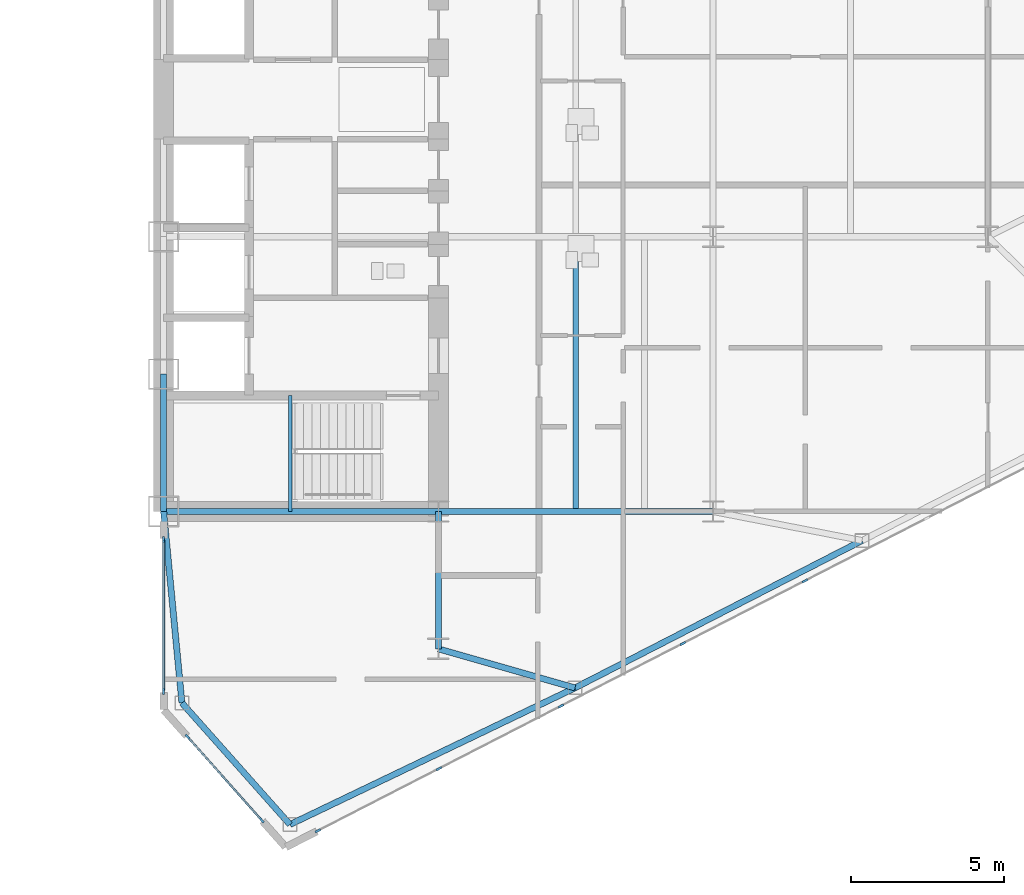
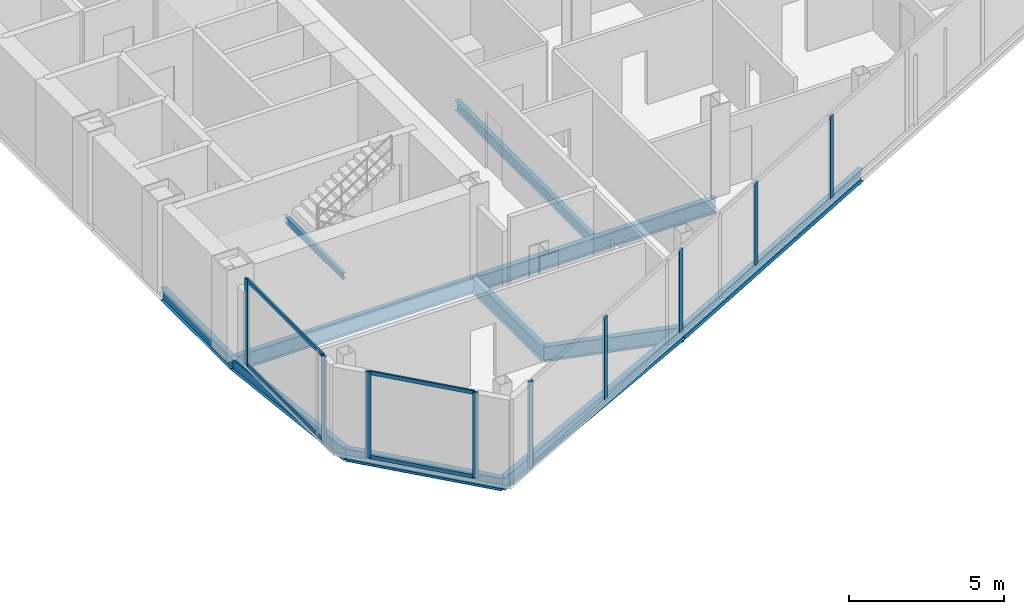
# One storey, part 8 of 24: 13 members, 11 beams, 3 elements without a shape of their own.
"""IFC4 building model written with IfcOpenShell, lengths in metres."""

from ifc_helpers import new_model, si_unit, direction, frame, origin, origin_2d, place, context, subcontext, project, spatial, rectangle, i_section, extrude, source, transform, mapped, material, layer, layer_set, material_profile, profile_set, type_object, type_shapes, element, aggregate, save


model = new_model("IFC4")

# Units and contexts
model_context = context("Model", 3, precision=1e-05, world=origin(), true_north=direction((0.0, 1.0)))
body_context = subcontext(model_context, "Body", "Model", "MODEL_VIEW")
ifc_project = project(units=[si_unit("LENGTHUNIT", "METRE"), si_unit("AREAUNIT", "SQUARE_METRE"), si_unit("VOLUMEUNIT", "CUBIC_METRE"), si_unit("PLANEANGLEUNIT", "RADIAN"), si_unit("MASSUNIT", "GRAM", prefix="KILO")], contexts=[model_context])

# Site, building, storey
site_placement = place(None, origin())
site = spatial("IfcSite", under=ifc_project, at=site_placement, CompositionType="ELEMENT")
building_placement = place(site_placement, origin())
building = spatial("IfcBuilding", under=site, at=building_placement, Name="Seokmaru Belvedere", CompositionType="ELEMENT")
storey_placement = place(building_placement, frame((0.0, 0.0, 121.199951171875)))
storey = spatial("IfcBuildingStorey", under=building, at=storey_placement, Name="L32", CompositionType="ELEMENT", Elevation=121.199951171875)

# Beams
ifc_material_1 = material(Name="Steel SM355 (355 MPa)", Category="steel")
ifc_material_profile_1 = material_profile(ifc_material_1, i_section(OverallWidth=0.199951171875, OverallDepth=0.5, WebThickness=0.010009765625, FlangeThickness=0.01611328125, at=origin_2d()), Name="H-500x200x10x16")
ifc_profile_set_1 = profile_set([ifc_material_profile_1], Name="Steel SM355 (355 MPa)")
beam_type_1 = type_object("IfcBeamType", Name="Perimeter Spandrel Beam H-500", PredefinedType="SPANDREL", material=ifc_profile_set_1)
shared_shape_1 = source(origin(), body_context, "Body", "SweptSolid", [
    extrude(i_section(OverallWidth=0.199951171875, OverallDepth=0.5, WebThickness=0.010009765625, FlangeThickness=0.01611328125, at=origin_2d()), origin(), (0.0, 0.0, 1.0), 4.5),
])
beam_1_placement = place(storey_placement, frame((27.5, -13.5, -0.469970703125), z_axis=(0.0, 1.0, 0.0), x_axis=(-1.0, 0.0, 0.0)))
element("IfcBeam", 1, at=beam_1_placement, inside=storey, type_object=beam_type_1, Name="L32 E Portal Spine Spandrel 1", PredefinedType="SPANDREL", context=body_context, shape_type="MappedRepresentation", body=[
    mapped(shared_shape_1, transform((0.0, 0.0, 0.0), scale=1.0)),
])
ifc_material_profile_2 = material_profile(ifc_material_1, i_section(OverallWidth=0.199951171875, OverallDepth=0.60009765625, WebThickness=0.010986328125, FlangeThickness=0.01708984375, at=origin_2d()), Name="H-600x200x11x17")
ifc_profile_set_2 = profile_set([ifc_material_profile_2], Name="Steel SM355 (355 MPa)")
beam_type_2 = type_object("IfcBeamType", Name="Primary Floor Girder H-600", PredefinedType="BEAM", material=ifc_profile_set_2)
shared_shape_2 = source(origin(), body_context, "Body", "SweptSolid", [
    extrude(i_section(OverallWidth=0.199951171875, OverallDepth=0.60009765625, WebThickness=0.010986328125, FlangeThickness=0.01708984375, at=origin_2d()), origin(), (0.0, 0.0, 1.0), 9.0),
])
for number, where, z_axis, x_axis, name in (
    (2, (27.5, -13.5, -0.52001953125), (1.0, 0.0, 0.0), (0.0, 1.0, 0.0), "L32 E Core Tie Girder 1"),
    (3, (36.5, -13.5, -0.52001953125), (1.0, 0.0, 0.0), (0.0, 1.0, 0.0), "L32 E Wing Primary Girder 1"),
):
    element("IfcBeam", number, at=place(storey_placement, frame(where, z_axis=z_axis, x_axis=x_axis)), inside=storey, type_object=beam_type_2, Name=name, PredefinedType="BEAM", context=body_context, shape_type="MappedRepresentation", body=[
        mapped(shared_shape_2, transform((0.0, 0.0, 0.0), scale=1.0)),
    ])
ifc_material_profile_3 = material_profile(ifc_material_1, i_section(OverallWidth=0.18505859375, OverallDepth=0.389892578125, WebThickness=0.008056640625, FlangeThickness=0.011962890625, at=origin_2d()), Name="H-390x185x8x12")
ifc_profile_set_3 = profile_set([ifc_material_profile_3], Name="Steel SM355 (355 MPa)")
beam_type_3 = type_object("IfcBeamType", Name="Secondary Floor Joist H-350", PredefinedType="JOIST", material=ifc_profile_set_3)
shared_shape_3 = source(origin(), body_context, "Body", "SweptSolid", [
    extrude(i_section(OverallWidth=0.18505859375, OverallDepth=0.389892578125, WebThickness=0.008056640625, FlangeThickness=0.011962890625, at=origin_2d()), origin(), (0.0, 0.0, 1.0), 8.7900390625),
])
type_shapes(beam_type_3, [shared_shape_3])
beam_2_placement = place(storey_placement, frame((41.0, -13.39501953125, -0.4150390625), z_axis=(0.0, 1.0, 0.0), x_axis=(-1.0, 0.0, 0.0)))
element("IfcBeam", 4, at=beam_2_placement, inside=storey, type_object=beam_type_3, Name="L32 E Secondary Floor Joist 1", PredefinedType="JOIST", context=body_context, shape_type="MappedRepresentation", body=[
    mapped(shared_shape_3, transform((0.0, 0.0, 0.0), scale=1.0)),
])
shared_shape_4 = source(origin(), body_context, "Body", "SweptSolid", [
    extrude(i_section(OverallWidth=0.199951171875, OverallDepth=0.60009765625, WebThickness=0.010986328125, FlangeThickness=0.01708984375, at=origin_2d()), origin(), (0.0, 0.0, 1.0), 4.5),
])
beam_3_placement = place(storey_placement, frame((36.5, -18.0, -0.52001953125), z_axis=(0.0, 1.0, 0.0), x_axis=(-1.0, 0.0, 0.0)))
element("IfcBeam", 5, at=beam_3_placement, inside=storey, type_object=beam_type_2, Name="L32 E Core Shoulder Girder S", PredefinedType="BEAM", context=body_context, shape_type="MappedRepresentation", body=[
    mapped(shared_shape_4, transform((0.0, 0.0, 0.0), scale=1.0)),
])
shared_shape_5 = source(origin(), body_context, "Body", "SweptSolid", [
    extrude(i_section(OverallWidth=0.199951171875, OverallDepth=0.5, WebThickness=0.010009765625, FlangeThickness=0.01611328125, at=origin_2d()), origin(), (0.0, 0.0, 1.0), 10.353759765625),
])
beam_4_placement = place(storey_placement, frame((31.6396484375, -23.75390625, -0.469970703125), z_axis=(0.901713202822, 0.432334708134, 0.0), x_axis=(-0.432334708134, 0.901713202822, 0.0)))
element("IfcBeam", 6, at=beam_4_placement, inside=storey, type_object=beam_type_1, Name="L32 E Faceted Flank Spandrel S-1", PredefinedType="SPANDREL", context=body_context, shape_type="MappedRepresentation", body=[
    mapped(shared_shape_5, transform((0.0, 0.0, 0.0), scale=1.0)),
])
shared_shape_6 = source(origin(), body_context, "Body", "SweptSolid", [
    extrude(i_section(OverallWidth=0.199951171875, OverallDepth=0.5, WebThickness=0.010009765625, FlangeThickness=0.01611328125, at=origin_2d()), origin(), (0.0, 0.0, 1.0), 10.56689453125),
])
beam_5_placement = place(storey_placement, frame((40.975830078125, -19.277587890625, -0.469970703125), z_axis=(0.889701972758, 0.45654178305, 0.0), x_axis=(-0.45654178305, 0.889701972758, 0.0)))
element("IfcBeam", 7, at=beam_5_placement, inside=storey, type_object=beam_type_1, Name="L32 E Faceted Flank Spandrel S-2", PredefinedType="SPANDREL", context=body_context, shape_type="MappedRepresentation", body=[
    mapped(shared_shape_6, transform((0.0, 0.0, 0.0), scale=1.0)),
])
shared_shape_7 = source(origin(), body_context, "Body", "SweptSolid", [
    extrude(i_section(OverallWidth=0.199951171875, OverallDepth=0.5, WebThickness=0.010009765625, FlangeThickness=0.01611328125, at=origin_2d()), origin(), (0.0, 0.0, 1.0), 5.32763671875),
])
beam_6_placement = place(storey_placement, frame((31.6396484375, -23.75390625, -0.469970703125), z_axis=(-0.66436952742, 0.74740426212, 0.0), x_axis=(-0.74740426212, -0.66436952742, 0.0)))
element("IfcBeam", 8, at=beam_6_placement, inside=storey, type_object=beam_type_1, Name="L32 E Shoulder Chamfer Spandrel S", PredefinedType="SPANDREL", context=body_context, shape_type="MappedRepresentation", body=[
    mapped(shared_shape_7, transform((0.0, 0.0, 0.0), scale=1.0)),
])
shared_shape_8 = source(origin(), body_context, "Body", "SweptSolid", [
    extrude(i_section(OverallWidth=0.199951171875, OverallDepth=0.5, WebThickness=0.010009765625, FlangeThickness=0.01611328125, at=origin_2d()), origin(), (0.0, 0.0, 1.0), 6.300537109375),
])
type_shapes(beam_type_1, [shared_shape_1, shared_shape_5, shared_shape_6, shared_shape_7, shared_shape_8])
beam_7_placement = place(storey_placement, frame((28.10009765625, -19.77197265625, -0.469970703125), z_axis=(-0.095244287992, 0.995453929424, 0.0), x_axis=(-0.995453929424, -0.095244287992, 0.0)))
element("IfcBeam", 9, at=beam_7_placement, inside=storey, type_object=beam_type_1, Name="L32 E Shoulder Spine Spandrel S", PredefinedType="SPANDREL", context=body_context, shape_type="MappedRepresentation", body=[
    mapped(shared_shape_8, transform((0.0, 0.0, 0.0), scale=1.0)),
])
shared_shape_9 = source(origin(), body_context, "Body", "SweptSolid", [
    extrude(i_section(OverallWidth=0.199951171875, OverallDepth=0.60009765625, WebThickness=0.010986328125, FlangeThickness=0.01708984375, at=origin_2d()), origin(), (0.0, 0.0, 1.0), 4.654541015625),
])
type_shapes(beam_type_2, [shared_shape_2, shared_shape_4, shared_shape_9])
beam_8_placement = place(storey_placement, frame((40.975830078125, -19.277587890625, -0.52001953125), z_axis=(-0.961593192625, 0.274478654721, 0.0), x_axis=(-0.274478654721, -0.961593192625, 0.0)))
element("IfcBeam", 10, at=beam_8_placement, inside=storey, type_object=beam_type_2, Name="L32 E Flank Radial Floor Girder S-1", PredefinedType="BEAM", context=body_context, shape_type="MappedRepresentation", body=[
    mapped(shared_shape_9, transform((0.0, 0.0, 0.0), scale=1.0)),
])

# Curtain wall, member
ifc_material_2 = material(Name="Bronze Triple Insulating Glass", Category="glass")
ifc_layer = layer(ifc_material_2, 0.195068359375)
ifc_layer_set = layer_set([ifc_layer], Name="Bronze Triple Insulating Glass")
curtain_wall_type = type_object("IfcCurtainWallType", Name="Sky-Lobby and Mid-Rise Curtain Wall System CW-4", PredefinedType="NOTDEFINED", material=ifc_layer_set)
curtain_wall_1_placement = place(storey_placement, origin())
curtain_wall_1 = element("IfcCurtainWall", 11, at=curtain_wall_1_placement, inside=storey, type_object=curtain_wall_type, Name="L32 Curtain Wall EF1", PredefinedType="NOTDEFINED")
ifc_material_3 = material(Name="Anodised Bronze Aluminium", Category="aluminium")
ifc_material_profile_4 = material_profile(ifc_material_3, rectangle(XDim=0.070068359375, YDim=0.195068359375, at=origin_2d()), Name="CW-M-70x195")
ifc_profile_set_4 = profile_set([ifc_material_profile_4], Name="Anodised Bronze Aluminium")
member_type_1 = type_object("IfcMemberType", Name="Bronze Unitised Mullion 70x195", PredefinedType="MULLION", material=ifc_profile_set_4)
shared_shape_10 = source(origin(), body_context, "Body", "SweptSolid", [
    extrude(rectangle(XDim=0.070068359375, YDim=0.195068359375, at=origin_2d()), origin(), (0.0, 0.0, 1.0), 3.380126953125),
])
member_1_placement = place(storey_placement, frame((32.55419921875, -23.958984375, 0.0), z_axis=(0.0, 0.0, 1.0), x_axis=(-0.456554528263, 0.889695432562, 0.0)))
member_1 = element("IfcMember", 12, at=member_1_placement, type_object=member_type_1, Name="CW:L32:EF1 Mullion 1", PredefinedType="MULLION", context=body_context, shape_type="MappedRepresentation", body=[
    mapped(shared_shape_10, transform((0.0, 0.0, 0.0), scale=1.0)),
])

# Curtain wall, members
curtain_wall_2_placement = place(storey_placement, origin())
curtain_wall_2 = element("IfcCurtainWall", 13, at=curtain_wall_2_placement, inside=storey, type_object=curtain_wall_type, Name="L32 Curtain Wall ESP_1", PredefinedType="NOTDEFINED")
member_2_placement = place(storey_placement, frame((27.5, -14.4150390625, 0.0), z_axis=(0.0, 0.0, 1.0), x_axis=(1.0, 0.0, 0.0)))
member_2 = element("IfcMember", 14, at=member_2_placement, type_object=member_type_1, Name="CW:L32:ESP_1 Mullion 1", PredefinedType="MULLION", context=body_context, shape_type="MappedRepresentation", body=[
    mapped(shared_shape_10, transform((0.0, 0.0, 0.0), scale=1.0)),
])
member_3_placement = place(storey_placement, frame((27.5, -19.39501953125, 0.0), z_axis=(0.0, 0.0, 1.0), x_axis=(1.0, 0.0, 0.0)))
member_3 = element("IfcMember", 15, at=member_3_placement, type_object=member_type_1, Name="CW:L32:ESP_1 Mullion 2", PredefinedType="MULLION", context=body_context, shape_type="MappedRepresentation", body=[
    mapped(shared_shape_10, transform((0.0, 0.0, 0.0), scale=1.0)),
])

curtain_wall_3_placement = place(storey_placement, origin())
curtain_wall_3 = element("IfcCurtainWall", 16, at=curtain_wall_3_placement, inside=storey, type_object=curtain_wall_type, Name="L32 Curtain Wall EF6", PredefinedType="NOTDEFINED")
member_4_placement = place(storey_placement, frame((28.287353515625, -20.8857421875, 0.0), z_axis=(0.0, 0.0, 1.0), x_axis=(0.747409774804, 0.664363325694, 0.0)))
member_4 = element("IfcMember", 17, at=member_4_placement, type_object=member_type_1, Name="CW:L32:EF6 Mullion 1", PredefinedType="MULLION", context=body_context, shape_type="MappedRepresentation", body=[
    mapped(shared_shape_10, transform((0.0, 0.0, 0.0), scale=1.0)),
])
member_5_placement = place(storey_placement, frame((30.712646484375, -23.6142578125, 0.0), z_axis=(0.0, 0.0, 1.0), x_axis=(0.747409774804, 0.664363325694, 0.0)))
member_5 = element("IfcMember", 18, at=member_5_placement, type_object=member_type_1, Name="CW:L32:EF6 Mullion 2", PredefinedType="MULLION", context=body_context, shape_type="MappedRepresentation", body=[
    mapped(shared_shape_10, transform((0.0, 0.0, 0.0), scale=1.0)),
])

# Member
ifc_material_profile_5 = material_profile(ifc_material_3, rectangle(XDim=0.06494140625, YDim=0.14990234375, at=origin_2d()), Name="CW-T-65x150")
ifc_profile_set_5 = profile_set([ifc_material_profile_5], Name="Anodised Bronze Aluminium")
member_type_2 = type_object("IfcMemberType", Name="Bronze Unitised Transom 65x150", PredefinedType="USERDEFINED", material=ifc_profile_set_5)
shared_shape_11 = source(origin(), body_context, "Body", "SweptSolid", [
    extrude(rectangle(XDim=0.06494140625, YDim=0.14990234375, at=origin_2d()), origin(), (0.0, 0.0, 1.0), 4.91015625),
])
member_6_placement = place(storey_placement, frame((27.5, -14.449951171875, 0.032470703125), z_axis=(0.0, -1.0, 0.0), x_axis=(1.0, 0.0, 0.0)))
member_6 = element("IfcMember", 19, at=member_6_placement, type_object=member_type_2, Name="CW:L32:ESP_1 Continuous Transom 1", ObjectType="TRANSOM", PredefinedType="USERDEFINED", context=body_context, shape_type="MappedRepresentation", body=[
    mapped(shared_shape_11, transform((0.0, 0.0, 0.0), scale=1.0)),
])

member_7_placement = place(storey_placement, frame((27.5, -14.449951171875, 3.34765625), z_axis=(0.0, -1.0, 0.0), x_axis=(1.0, 0.0, 0.0)))
member_7 = element("IfcMember", 20, at=member_7_placement, type_object=member_type_2, Name="CW:L32:ESP_1 Continuous Transom 2", ObjectType="TRANSOM", PredefinedType="USERDEFINED", context=body_context, shape_type="MappedRepresentation", body=[
    mapped(shared_shape_11, transform((0.0, 0.0, 0.0), scale=1.0)),
])

aggregate(curtain_wall_2, [member_2, member_3, member_6, member_7])

shared_shape_12 = source(origin(), body_context, "Body", "SweptSolid", [
    extrude(rectangle(XDim=0.06494140625, YDim=0.14990234375, at=origin_2d()), origin(), (0.0, 0.0, 1.0), 3.580810546875),
])
type_shapes(member_type_2, [shared_shape_11, shared_shape_12])
member_8_placement = place(storey_placement, frame((28.310546875, -20.911865234375, 0.032470703125), z_axis=(0.66436383883, -0.747409318684, 0.0), x_axis=(0.747409318684, 0.66436383883, 0.0)))
member_8 = element("IfcMember", 21, at=member_8_placement, type_object=member_type_2, Name="CW:L32:EF6 Continuous Transom 1", ObjectType="TRANSOM", PredefinedType="USERDEFINED", context=body_context, shape_type="MappedRepresentation", body=[
    mapped(shared_shape_12, transform((0.0, 0.0, 0.0), scale=1.0)),
])

member_9_placement = place(storey_placement, frame((28.310546875, -20.911865234375, 3.34765625), z_axis=(0.66436383883, -0.747409318684, 0.0), x_axis=(0.747409318684, 0.66436383883, 0.0)))
member_9 = element("IfcMember", 22, at=member_9_placement, type_object=member_type_2, Name="CW:L32:EF6 Continuous Transom 2", ObjectType="TRANSOM", PredefinedType="USERDEFINED", context=body_context, shape_type="MappedRepresentation", body=[
    mapped(shared_shape_12, transform((0.0, 0.0, 0.0), scale=1.0)),
])

aggregate(curtain_wall_3, [member_4, member_5, member_8, member_9])

shared_shape_13 = source(origin(), body_context, "Body", "SweptSolid", [
    extrude(rectangle(XDim=0.070068359375, YDim=0.195068359375, at=origin_2d()), origin(), (0.0, 0.0, 1.0), 3.25),
])
type_shapes(member_type_1, [shared_shape_10, shared_shape_13])
member_10_placement = place(storey_placement, frame((36.51806640625, -21.925048828125, 0.06494140625), z_axis=(0.0, 0.0, 1.0), x_axis=(-0.456554528263, 0.889695432562, 0.0)))
member_10 = element("IfcMember", 23, at=member_10_placement, type_object=member_type_1, Name="CW:L32:EF1 Mullion 2", PredefinedType="MULLION", context=body_context, shape_type="MappedRepresentation", body=[
    mapped(shared_shape_13, transform((0.0, 0.0, 0.0), scale=1.0)),
])

member_11_placement = place(storey_placement, frame((40.5126953125, -19.875, 0.06494140625), z_axis=(0.0, 0.0, 1.0), x_axis=(-0.456554528263, 0.889695432562, 0.0)))
member_11 = element("IfcMember", 24, at=member_11_placement, type_object=member_type_1, Name="CW:L32:EF1 Mullion 3", PredefinedType="MULLION", context=body_context, shape_type="MappedRepresentation", body=[
    mapped(shared_shape_13, transform((0.0, 0.0, 0.0), scale=1.0)),
])

member_12_placement = place(storey_placement, frame((44.5078125, -17.824951171875, 0.06494140625), z_axis=(0.0, 0.0, 1.0), x_axis=(-0.456554528263, 0.889695432562, 0.0)))
member_12 = element("IfcMember", 25, at=member_12_placement, type_object=member_type_1, Name="CW:L32:EF1 Mullion 4", PredefinedType="MULLION", context=body_context, shape_type="MappedRepresentation", body=[
    mapped(shared_shape_13, transform((0.0, 0.0, 0.0), scale=1.0)),
])

member_13_placement = place(storey_placement, frame((48.502685546875, -15.77490234375, 0.06494140625), z_axis=(0.0, 0.0, 1.0), x_axis=(-0.456554528263, 0.889695432562, 0.0)))
member_13 = element("IfcMember", 26, at=member_13_placement, type_object=member_type_1, Name="CW:L32:EF1 Mullion 5", PredefinedType="MULLION", context=body_context, shape_type="MappedRepresentation", body=[
    mapped(shared_shape_13, transform((0.0, 0.0, 0.0), scale=1.0)),
])

aggregate(curtain_wall_1, [member_1, member_10, member_11, member_12, member_13])

# Beam
ifc_material_profile_6 = material_profile(ifc_material_1, i_section(OverallWidth=0.125, OverallDepth=0.25, WebThickness=0.006103515625, FlangeThickness=0.009033203125, at=origin_2d()), Name="H-250x125x6x9")
ifc_profile_set_6 = profile_set([ifc_material_profile_6], Name="Steel SM355 (355 MPa)")
beam_type_4 = type_object("IfcBeamType", Name="Stair Mid-Landing Support Beam H-250", PredefinedType="JOIST", material=ifc_profile_set_6)
shared_shape_14 = source(origin(), body_context, "Body", "SweptSolid", [
    extrude(i_section(OverallWidth=0.125, OverallDepth=0.25, WebThickness=0.006103515625, FlangeThickness=0.009033203125, at=origin_2d()), origin(), (0.0, 0.0, 1.0), 3.800048828125),
])
type_shapes(beam_type_4, [shared_shape_14])
beam_9_placement = place(storey_placement, frame((31.64990234375, -13.5, 1.47509765625), z_axis=(0.0, 1.0, 0.0), x_axis=(-1.0, 0.0, 0.0)))
element("IfcBeam", 27, at=beam_9_placement, inside=storey, type_object=beam_type_4, Name="L32 Stair ST-E1 Mid-Landing Support Beam 1", PredefinedType="JOIST", context=body_context, shape_type="MappedRepresentation", body=[
    mapped(shared_shape_14, transform((0.0, 0.0, 0.0), scale=1.0)),
])

save(model, "model.ifc")
